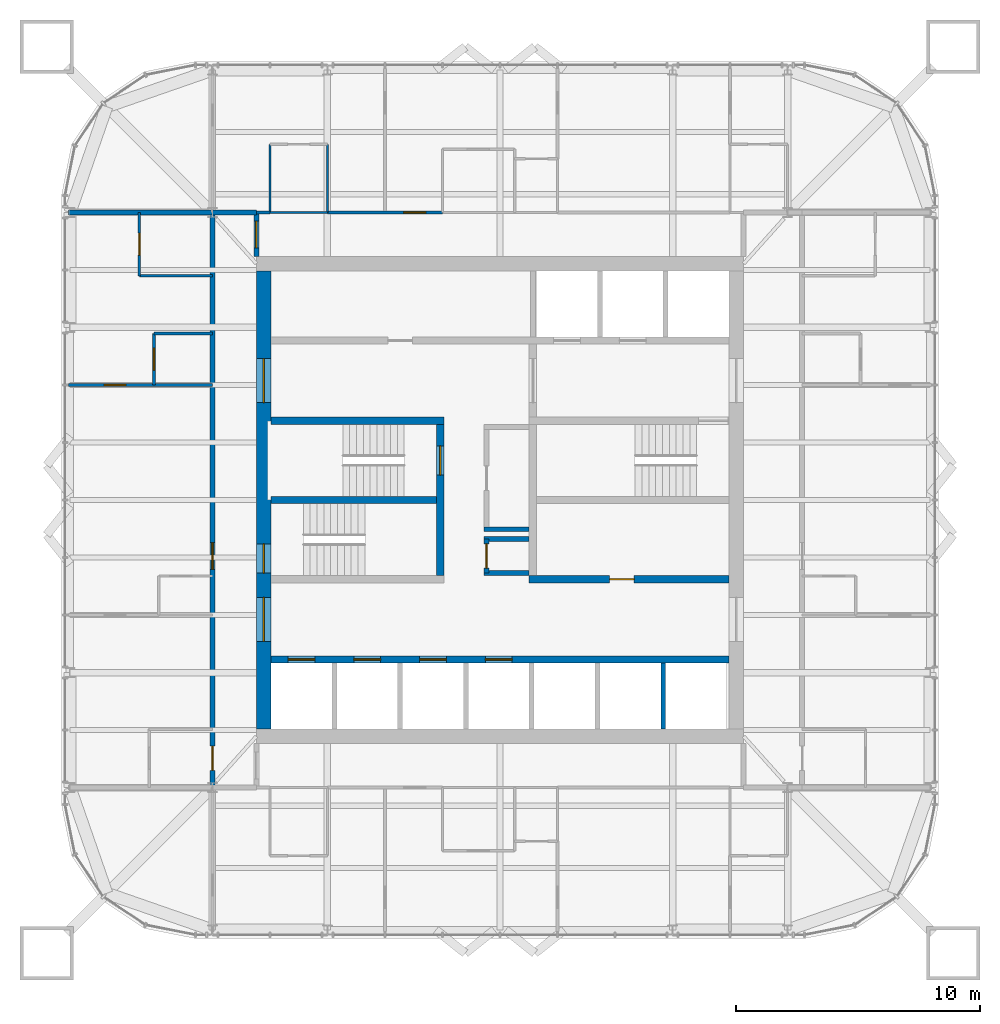
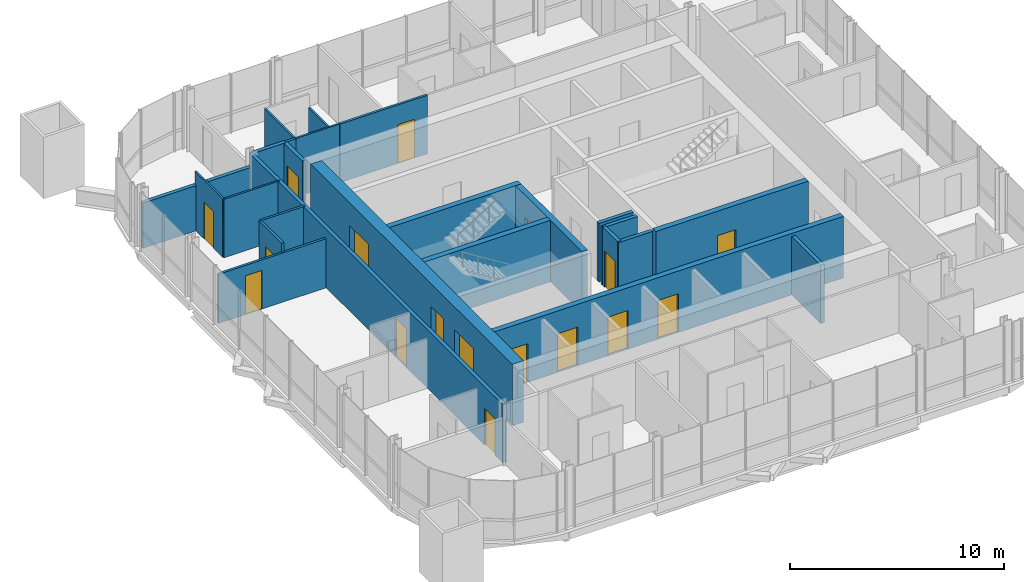
# One storey, part 14 of 17: 25 walls, 17 doors, 17 openings.
"""IFC4 building model written with IfcOpenShell, lengths in metres."""

from ifc_helpers import new_model, si_unit, direction, frame, frame_2d, origin, place, context, subcontext, project, spatial, rectangle, extrude, material, layer, layer_set, type_object, element, fill, save


model = new_model("IFC4")

# Units and contexts
model_context = context("Model", 3, precision=1e-05, world=origin(), true_north=direction((0.0, 1.0)))
body_context = subcontext(model_context, "Body", "Model", "MODEL_VIEW")
ifc_project = project(units=[si_unit("LENGTHUNIT", "METRE"), si_unit("AREAUNIT", "SQUARE_METRE"), si_unit("VOLUMEUNIT", "CUBIC_METRE"), si_unit("PLANEANGLEUNIT", "RADIAN"), si_unit("MASSUNIT", "GRAM", prefix="KILO")], contexts=[model_context])

# Site, building, storey
site_placement = place(None, origin())
site = spatial("IfcSite", under=ifc_project, at=site_placement, CompositionType="ELEMENT")
building_placement = place(site_placement, origin())
building = spatial("IfcBuilding", under=site, at=building_placement, Name="Turquesa Mirador Hotel Tower", CompositionType="ELEMENT")
storey_placement = place(building_placement, frame((0.0, 0.0, 251.199951171875)))
storey = spatial("IfcBuildingStorey", under=building, at=storey_placement, Name="L68", CompositionType="ELEMENT", Elevation=251.199951171875)

# Walls
ifc_material_1 = material(Name="Gypsum board on steel studs", Category="steel")
ifc_layer_1 = layer(ifc_material_1, 0.10009765625)
ifc_layer_set_1 = layer_set([ifc_layer_1], Name="BATHROOM WALL 100")
wall_type_1 = type_object("IfcWallType", Name="BATHROOM WALL 100", PredefinedType="PARTITIONING", material=ifc_layer_set_1)
wall_1_placement = place(storey_placement, frame((45.56005859375, 56.800048828125, 0.0), z_axis=(0.0, 0.0, 1.0), x_axis=(1.0, 0.0, 0.0)))
element("IfcWall", 1, at=wall_1_placement, inside=storey, type_object=wall_type_1, Name="Partition L68 023", PredefinedType="PARTITIONING", context=body_context, shape_type="SweptSolid", body=[
    extrude(rectangle(XDim=2.35986328125, YDim=0.10009765625, at=frame_2d((1.179931640625, 0.0))), origin(), (0.0, 0.0, 1.0), 3.330078125),
])
wall_2_placement = place(storey_placement, frame((40.199951171875, 54.199951171875, 0.0), z_axis=(0.0, 0.0, 1.0), x_axis=(1.0, 0.0, 0.0)))
element("IfcWall", 2, at=wall_2_placement, inside=storey, type_object=wall_type_1, Name="Partition L68 041", PredefinedType="PARTITIONING", context=body_context, shape_type="SweptSolid", body=[
    extrude(rectangle(XDim=3.0, YDim=0.10009765625, at=frame_2d((1.5, 0.0))), origin(), (0.0, 0.0, 1.0), 3.330078125),
])

# Wall, opening, door
wall_3_placement = place(storey_placement, frame((40.199951171875, 54.199951171875, 0.0), z_axis=(0.0, 0.0, 1.0), x_axis=(0.0, 1.0, 0.0)))
wall_3 = element("IfcWall", 3, at=wall_3_placement, inside=storey, type_object=wall_type_1, Name="Partition L68 051", PredefinedType="PARTITIONING", context=body_context, shape_type="SweptSolid", body=[
    extrude(rectangle(XDim=2.60009765625, YDim=0.10009765625, at=frame_2d((1.300048828125, 0.0))), origin(), (0.0, 0.0, 1.0), 3.330078125),
])
opening_1_placement = place(wall_3_placement, frame((0.85009765625, 0.0, 0.0)))
opening_1 = element("IfcOpeningElement", 4, at=opening_1_placement, cuts=wall_3, Name="Opening D02", PredefinedType="OPENING", context=body_context, shape_type="SweptSolid", body=[
    extrude(rectangle(XDim=0.89990234375, YDim=2.10009765625, at=frame_2d((0.449951171875, 1.050048828125))), frame((0.0, 0.06005859375, 0.0), z_axis=(0.0, -1.0, 0.0), x_axis=(1.0, 0.0, 0.0)), (0.0, 0.0, 1.0), 0.1201171875),
])
ifc_material_2 = material(Name="Timber veneered door", Category="wood")
door_type_1 = type_object("IfcDoorType", Name="DOOR 900X2100 EN-SUITE", OperationType="SINGLE_SWING_RIGHT", PredefinedType="DOOR", material=ifc_material_2)
door_1_placement = place(opening_1_placement, origin())
door_1 = element("IfcDoor", 5, at=door_1_placement, inside=storey, type_object=door_type_1, Name="Door 6804B", OperationType="SINGLE_SWING_RIGHT", OverallHeight=2.10009765625, OverallWidth=0.89990234375, PredefinedType="DOOR", context=body_context, shape_type="SweptSolid", body=[
    extrude(rectangle(XDim=0.89990234375, YDim=2.10009765625, at=frame_2d((0.449951171875, 1.050048828125))), frame((0.0, 0.02490234375, 0.0), z_axis=(0.0, -1.0, 0.0), x_axis=(1.0, 0.0, 0.0)), (0.0, 0.0, 1.0), 0.050048828125),
])
fill(opening_1, door_1)

# Walls
wall_4_placement = place(storey_placement, frame((47.919921875, 56.800048828125, 0.0), z_axis=(0.0, 0.0, 1.0), x_axis=(0.0, 1.0, 0.0)))
element("IfcWall", 6, at=wall_4_placement, inside=storey, type_object=wall_type_1, Name="Partition L68 057", PredefinedType="PARTITIONING", context=body_context, shape_type="SweptSolid", body=[
    extrude(rectangle(XDim=2.800048828125, YDim=0.10009765625, at=frame_2d((1.39990234375, 0.0))), origin(), (0.0, 0.0, 1.0), 2.5732421875),
])
wall_5_placement = place(storey_placement, frame((45.56005859375, 56.800048828125, 0.0), z_axis=(0.0, 0.0, 1.0), x_axis=(0.0, 1.0, 0.0)))
element("IfcWall", 7, at=wall_5_placement, inside=storey, type_object=wall_type_1, Name="Partition L68 059", PredefinedType="PARTITIONING", context=body_context, shape_type="SweptSolid", body=[
    extrude(rectangle(XDim=2.800048828125, YDim=0.10009765625, at=frame_2d((1.39990234375, 0.0))), origin(), (0.0, 0.0, 1.0), 3.330078125),
])

# Wall, openings, doors
ifc_material_3 = material(Name="Concrete C50/60", Category="concrete")
ifc_layer_2 = layer(ifc_material_3, 0.300048828125)
ifc_layer_set_2 = layer_set([ifc_layer_2], Name="CORE INNER WALL 300")
wall_type_2 = type_object("IfcWallType", Name="CORE INNER WALL 300", PredefinedType="SHEAR", material=ifc_layer_set_2)
wall_6_placement = place(storey_placement, frame((45.60009765625, 38.449951171875, 0.0), z_axis=(0.0, 0.0, 1.0), x_axis=(1.0, 0.0, 0.0)))
wall_6 = element("IfcWall", 8, at=wall_6_placement, inside=storey, type_object=wall_type_2, Name="Core wall SL", PredefinedType="SHEAR", context=body_context, shape_type="SweptSolid", body=[
    extrude(rectangle(XDim=18.7998046875, YDim=0.300048828125, at=frame_2d((9.39990234375, 0.0))), origin(), (0.0, 0.0, 1.0), 3.5),
])
opening_2_placement = place(wall_6_placement, frame((0.699951171875, 0.0, 0.0)))
opening_2 = element("IfcOpeningElement", 9, at=opening_2_placement, cuts=wall_6, Name="Opening LD", PredefinedType="OPENING", context=body_context, shape_type="SweptSolid", body=[
    extrude(rectangle(XDim=1.10009765625, YDim=2.199951171875, at=frame_2d((0.550048828125, 1.10009765625))), frame((0.0, 0.159912109375, 0.0), z_axis=(0.0, -1.0, 0.0), x_axis=(1.0, 0.0, 0.0)), (0.0, 0.0, 1.0), 0.320068359375),
])
opening_3_placement = place(wall_6_placement, frame((3.39990234375, 0.0, 0.0)))
opening_3 = element("IfcOpeningElement", 10, at=opening_3_placement, cuts=wall_6, Name="Opening LD", PredefinedType="OPENING", context=body_context, shape_type="SweptSolid", body=[
    extrude(rectangle(XDim=1.10009765625, YDim=2.199951171875, at=frame_2d((0.550048828125, 1.10009765625))), frame((0.0, 0.159912109375, 0.0), z_axis=(0.0, -1.0, 0.0), x_axis=(1.0, 0.0, 0.0)), (0.0, 0.0, 1.0), 0.320068359375),
])
opening_4_placement = place(wall_6_placement, frame((6.10009765625, 0.0, 0.0)))
opening_4 = element("IfcOpeningElement", 11, at=opening_4_placement, cuts=wall_6, Name="Opening LD", PredefinedType="OPENING", context=body_context, shape_type="SweptSolid", body=[
    extrude(rectangle(XDim=1.10009765625, YDim=2.199951171875, at=frame_2d((0.550048828125, 1.10009765625))), frame((0.0, 0.159912109375, 0.0), z_axis=(0.0, -1.0, 0.0), x_axis=(1.0, 0.0, 0.0)), (0.0, 0.0, 1.0), 0.320068359375),
])
opening_5_placement = place(wall_6_placement, frame((8.800048828125, 0.0, 0.0)))
opening_5 = element("IfcOpeningElement", 12, at=opening_5_placement, cuts=wall_6, Name="Opening LD", PredefinedType="OPENING", context=body_context, shape_type="SweptSolid", body=[
    extrude(rectangle(XDim=1.10009765625, YDim=2.199951171875, at=frame_2d((0.550048828125, 1.10009765625))), frame((0.0, 0.159912109375, 0.0), z_axis=(0.0, -1.0, 0.0), x_axis=(1.0, 0.0, 0.0)), (0.0, 0.0, 1.0), 0.320068359375),
])
ifc_material_4 = material(Name="Stainless steel lift landing door", Category="steel")
door_type_2 = type_object("IfcDoorType", Name="LIFT LANDING DOOR 1100X2200", OperationType="SLIDING_TO_LEFT", PredefinedType="DOOR", material=ifc_material_4)
door_2_placement = place(opening_2_placement, origin())
door_2 = element("IfcDoor", 13, at=door_2_placement, inside=storey, type_object=door_type_2, Name="Lift B1 landing door", OperationType="SLIDING_TO_LEFT", OverallHeight=2.199951171875, OverallWidth=1.10009765625, PredefinedType="DOOR", context=body_context, shape_type="SweptSolid", body=[
    extrude(rectangle(XDim=1.10009765625, YDim=2.199951171875, at=frame_2d((0.550048828125, 1.10009765625))), frame((0.0, 0.02490234375, 0.0), z_axis=(0.0, -1.0, 0.0), x_axis=(1.0, 0.0, 0.0)), (0.0, 0.0, 1.0), 0.050048828125),
])
fill(opening_2, door_2)
door_3_placement = place(opening_3_placement, origin())
door_3 = element("IfcDoor", 14, at=door_3_placement, inside=storey, type_object=door_type_2, Name="Lift B2 landing door", OperationType="SLIDING_TO_LEFT", OverallHeight=2.199951171875, OverallWidth=1.10009765625, PredefinedType="DOOR", context=body_context, shape_type="SweptSolid", body=[
    extrude(rectangle(XDim=1.10009765625, YDim=2.199951171875, at=frame_2d((0.550048828125, 1.10009765625))), frame((0.0, 0.02490234375, 0.0), z_axis=(0.0, -1.0, 0.0), x_axis=(1.0, 0.0, 0.0)), (0.0, 0.0, 1.0), 0.050048828125),
])
fill(opening_3, door_3)
door_4_placement = place(opening_4_placement, origin())
door_4 = element("IfcDoor", 15, at=door_4_placement, inside=storey, type_object=door_type_2, Name="Lift B3 landing door", OperationType="SLIDING_TO_LEFT", OverallHeight=2.199951171875, OverallWidth=1.10009765625, PredefinedType="DOOR", context=body_context, shape_type="SweptSolid", body=[
    extrude(rectangle(XDim=1.10009765625, YDim=2.199951171875, at=frame_2d((0.550048828125, 1.10009765625))), frame((0.0, 0.02490234375, 0.0), z_axis=(0.0, -1.0, 0.0), x_axis=(1.0, 0.0, 0.0)), (0.0, 0.0, 1.0), 0.050048828125),
])
fill(opening_4, door_4)
door_5_placement = place(opening_5_placement, origin())
door_5 = element("IfcDoor", 16, at=door_5_placement, inside=storey, type_object=door_type_2, Name="Lift B4 landing door", OperationType="SLIDING_TO_LEFT", OverallHeight=2.199951171875, OverallWidth=1.10009765625, PredefinedType="DOOR", context=body_context, shape_type="SweptSolid", body=[
    extrude(rectangle(XDim=1.10009765625, YDim=2.199951171875, at=frame_2d((0.550048828125, 1.10009765625))), frame((0.0, 0.02490234375, 0.0), z_axis=(0.0, -1.0, 0.0), x_axis=(1.0, 0.0, 0.0)), (0.0, 0.0, 1.0), 0.050048828125),
])
fill(opening_5, door_5)

# Wall
wall_7_placement = place(storey_placement, frame((45.60009765625, 48.25, 0.0), z_axis=(0.0, 0.0, 1.0), x_axis=(1.0, 0.0, 0.0)))
element("IfcWall", 17, at=wall_7_placement, inside=storey, type_object=wall_type_2, Name="Core wall MN-W", PredefinedType="SHEAR", context=body_context, shape_type="SweptSolid", body=[
    extrude(rectangle(XDim=7.099853515625, YDim=0.300048828125, at=frame_2d((3.5498046875, 0.0))), origin(), (0.0, 0.0, 1.0), 3.5),
])

# Wall, opening, door
wall_8_placement = place(storey_placement, frame((56.199951171875, 41.75, 0.0), z_axis=(0.0, 0.0, 1.0), x_axis=(1.0, 0.0, 0.0)))
wall_8 = element("IfcWall", 18, at=wall_8_placement, inside=storey, type_object=wall_type_2, Name="Core wall MS-E", PredefinedType="SHEAR", context=body_context, shape_type="SweptSolid", body=[
    extrude(rectangle(XDim=8.199951171875, YDim=0.300048828125, at=frame_2d((4.10009765625, 0.0))), origin(), (0.0, 0.0, 1.0), 3.5),
])
opening_6_placement = place(wall_8_placement, frame((3.300048828125, 0.0, 0.0)))
opening_6 = element("IfcOpeningElement", 19, at=opening_6_placement, cuts=wall_8, Name="Opening D05", PredefinedType="OPENING", context=body_context, shape_type="SweptSolid", body=[
    extrude(rectangle(XDim=1.0, YDim=2.10009765625, at=frame_2d((0.5, 1.050048828125))), frame((0.0, 0.159912109375, 0.0), z_axis=(0.0, -1.0, 0.0), x_axis=(1.0, 0.0, 0.0)), (0.0, 0.0, 1.0), 0.320068359375),
])
ifc_material_5 = material(Name="Steel fire door", Category="steel")
door_type_3 = type_object("IfcDoorType", Name="DOOR 1000X2100 SERVICE", OperationType="SINGLE_SWING_LEFT", PredefinedType="DOOR", material=ifc_material_5)
door_6_placement = place(opening_6_placement, origin())
door_6 = element("IfcDoor", 20, at=door_6_placement, inside=storey, type_object=door_type_3, Name="Housekeeping room door", OperationType="SINGLE_SWING_LEFT", OverallHeight=2.10009765625, OverallWidth=1.0, PredefinedType="DOOR", context=body_context, shape_type="SweptSolid", body=[
    extrude(rectangle(XDim=1.0, YDim=2.10009765625, at=frame_2d((0.5, 1.050048828125))), frame((0.0, 0.02490234375, 0.0), z_axis=(0.0, -1.0, 0.0), x_axis=(1.0, 0.0, 0.0)), (0.0, 0.0, 1.0), 0.050048828125),
])
fill(opening_6, door_6)

wall_9_placement = place(storey_placement, frame((52.550048828125, 41.89990234375, 0.0), z_axis=(0.0, 0.0, 1.0), x_axis=(0.0, 1.0, 0.0)))
wall_9 = element("IfcWall", 21, at=wall_9_placement, inside=storey, type_object=wall_type_2, Name="Core wall PW", PredefinedType="SHEAR", context=body_context, shape_type="SweptSolid", body=[
    extrude(rectangle(XDim=6.2001953125, YDim=0.300048828125, at=frame_2d((3.10009765625, 0.0))), origin(), (0.0, 0.0, 1.0), 3.5),
])
opening_7_placement = place(wall_9_placement, frame((4.125, 0.0, 0.0)))
opening_7 = element("IfcOpeningElement", 22, at=opening_7_placement, cuts=wall_9, Name="Opening D03", PredefinedType="OPENING", context=body_context, shape_type="SweptSolid", body=[
    extrude(rectangle(XDim=1.199951171875, YDim=2.199951171875, at=frame_2d((0.60009765625, 1.10009765625))), frame((0.0, 0.159912109375, 0.0), z_axis=(0.0, -1.0, 0.0), x_axis=(1.0, 0.0, 0.0)), (0.0, 0.0, 1.0), 0.320068359375),
])
ifc_material_6 = material(Name="Steel fire door", Category="steel")
door_type_4 = type_object("IfcDoorType", Name="DOOR 1200X2200 STAIR", OperationType="SINGLE_SWING_LEFT", PredefinedType="DOOR", material=ifc_material_6)
door_7_placement = place(opening_7_placement, origin())
door_7 = element("IfcDoor", 23, at=door_7_placement, inside=storey, type_object=door_type_4, Name="Stair ST1 door", OperationType="SINGLE_SWING_LEFT", OverallHeight=2.199951171875, OverallWidth=1.199951171875, PredefinedType="DOOR", context=body_context, shape_type="SweptSolid", body=[
    extrude(rectangle(XDim=1.199951171875, YDim=2.199951171875, at=frame_2d((0.60009765625, 1.10009765625))), frame((0.0, 0.02490234375, 0.0), z_axis=(0.0, -1.0, 0.0), x_axis=(1.0, 0.0, 0.0)), (0.0, 0.0, 1.0), 0.050048828125),
])
fill(opening_7, door_7)

# Wall
wall_10_placement = place(storey_placement, frame((45.60009765625, 45.0, 0.0), z_axis=(0.0, 0.0, 1.0), x_axis=(1.0, 0.0, 0.0)))
element("IfcWall", 24, at=wall_10_placement, inside=storey, type_object=wall_type_2, Name="Core wall M0-W", PredefinedType="SHEAR", context=body_context, shape_type="SweptSolid", body=[
    extrude(rectangle(XDim=6.7998046875, YDim=0.300048828125, at=frame_2d((3.39990234375, 0.0))), origin(), (0.0, 0.0, 1.0), 3.5),
])

# Wall, openings, doors
ifc_material_7 = material(Name="Concrete C50/60", Category="concrete")
ifc_layer_3 = layer(ifc_material_7, 0.60009765625)
ifc_layer_set_3 = layer_set([ifc_layer_3], Name="CORE WALL 600")
wall_type_3 = type_object("IfcWallType", Name="CORE WALL 600", PredefinedType="SHEAR", material=ifc_layer_set_3)
wall_11_placement = place(storey_placement, frame((45.300048828125, 35.60009765625, 0.0), z_axis=(0.0, 0.0, 1.0), x_axis=(0.0, 1.0, 0.0)))
wall_11 = element("IfcWall", 25, at=wall_11_placement, inside=storey, type_object=wall_type_3, Name="Core wall W", PredefinedType="SHEAR", context=body_context, shape_type="SweptSolid", body=[
    extrude(rectangle(XDim=18.7998046875, YDim=0.60009765625, at=frame_2d((9.39990234375, 0.0))), origin(), (0.0, 0.0, 1.0), 3.5),
])
opening_8_placement = place(wall_11_placement, frame((13.39990234375, 0.0, 0.0)))
opening_8 = element("IfcOpeningElement", 26, at=opening_8_placement, cuts=wall_11, Name="Opening D04", PredefinedType="OPENING", context=body_context, shape_type="SweptSolid", body=[
    extrude(rectangle(XDim=1.800048828125, YDim=2.199951171875, at=frame_2d((0.89990234375, 1.10009765625))), frame((0.0, 0.31005859375, 0.0), z_axis=(0.0, -1.0, 0.0), x_axis=(1.0, 0.0, 0.0)), (0.0, 0.0, 1.0), 0.6201171875),
])
opening_9_placement = place(wall_11_placement, frame((3.60009765625, 0.0, 0.0)))
opening_9 = element("IfcOpeningElement", 27, at=opening_9_placement, cuts=wall_11, Name="Opening D04", PredefinedType="OPENING", context=body_context, shape_type="SweptSolid", body=[
    extrude(rectangle(XDim=1.800048828125, YDim=2.199951171875, at=frame_2d((0.89990234375, 1.10009765625))), frame((0.0, 0.31005859375, 0.0), z_axis=(0.0, -1.0, 0.0), x_axis=(1.0, 0.0, 0.0)), (0.0, 0.0, 1.0), 0.6201171875),
])
opening_10_placement = place(wall_11_placement, frame((6.39990234375, 0.0, 0.0)))
opening_10 = element("IfcOpeningElement", 28, at=opening_10_placement, cuts=wall_11, Name="Opening D03", PredefinedType="OPENING", context=body_context, shape_type="SweptSolid", body=[
    extrude(rectangle(XDim=1.199951171875, YDim=2.199951171875, at=frame_2d((0.60009765625, 1.10009765625))), frame((0.0, 0.31005859375, 0.0), z_axis=(0.0, -1.0, 0.0), x_axis=(1.0, 0.0, 0.0)), (0.0, 0.0, 1.0), 0.6201171875),
])
door_8_placement = place(opening_10_placement, origin())
door_8 = element("IfcDoor", 29, at=door_8_placement, inside=storey, type_object=door_type_4, Name="Stair ST2 door", OperationType="SINGLE_SWING_LEFT", OverallHeight=2.199951171875, OverallWidth=1.199951171875, PredefinedType="DOOR", context=body_context, shape_type="SweptSolid", body=[
    extrude(rectangle(XDim=1.199951171875, YDim=2.199951171875, at=frame_2d((0.60009765625, 1.10009765625))), frame((0.0, 0.02490234375, 0.0), z_axis=(0.0, -1.0, 0.0), x_axis=(1.0, 0.0, 0.0)), (0.0, 0.0, 1.0), 0.050048828125),
])
fill(opening_10, door_8)
ifc_material_8 = material(Name="Steel fire door pair", Category="steel")
door_type_5 = type_object("IfcDoorType", Name="DOOR 1800X2200 PAIR", OperationType="DOUBLE_DOOR_SINGLE_SWING", PredefinedType="DOOR", material=ifc_material_8)
door_9_placement = place(opening_8_placement, origin())
door_9 = element("IfcDoor", 30, at=door_9_placement, inside=storey, type_object=door_type_5, Name="North lift lobby door", OperationType="DOUBLE_DOOR_SINGLE_SWING", OverallHeight=2.199951171875, OverallWidth=1.800048828125, PredefinedType="DOOR", context=body_context, shape_type="SweptSolid", body=[
    extrude(rectangle(XDim=1.800048828125, YDim=2.199951171875, at=frame_2d((0.89990234375, 1.10009765625))), frame((0.0, 0.02490234375, 0.0), z_axis=(0.0, -1.0, 0.0), x_axis=(1.0, 0.0, 0.0)), (0.0, 0.0, 1.0), 0.050048828125),
])
fill(opening_8, door_9)
door_10_placement = place(opening_9_placement, origin())
door_10 = element("IfcDoor", 31, at=door_10_placement, inside=storey, type_object=door_type_5, Name="South lift lobby door", OperationType="DOUBLE_DOOR_SINGLE_SWING", OverallHeight=2.199951171875, OverallWidth=1.800048828125, PredefinedType="DOOR", context=body_context, shape_type="SweptSolid", body=[
    extrude(rectangle(XDim=1.800048828125, YDim=2.199951171875, at=frame_2d((0.89990234375, 1.10009765625))), frame((0.0, 0.02490234375, 0.0), z_axis=(0.0, -1.0, 0.0), x_axis=(1.0, 0.0, 0.0)), (0.0, 0.0, 1.0), 0.050048828125),
])
fill(opening_9, door_10)

# Wall
ifc_material_9 = material(Name="Fire-rated gypsum board on steel studs", Category="steel")
ifc_layer_4 = layer(ifc_material_9, 0.199951171875)
ifc_layer_set_4 = layer_set([ifc_layer_4], Name="CORRIDOR WALL 200")
wall_type_4 = type_object("IfcWallType", Name="CORRIDOR WALL 200", PredefinedType="PARTITIONING", material=ifc_layer_set_4)
wall_12_placement = place(storey_placement, frame((43.199951171875, 56.800048828125, 0.0), z_axis=(0.0, 0.0, 1.0), x_axis=(1.0, 0.0, 0.0)))
element("IfcWall", 32, at=wall_12_placement, inside=storey, type_object=wall_type_4, Name="Partition L68 026", PredefinedType="PARTITIONING", context=body_context, shape_type="SweptSolid", body=[
    extrude(rectangle(XDim=1.800048828125, YDim=0.199951171875, at=frame_2d((0.89990234375, 0.0))), origin(), (0.0, 0.0, 1.0), 3.330078125),
])

# Wall, opening, door
wall_13_placement = place(storey_placement, frame((45.0, 55.0, 0.0), z_axis=(0.0, 0.0, 1.0), x_axis=(0.0, 1.0, 0.0)))
wall_13 = element("IfcWall", 33, at=wall_13_placement, inside=storey, type_object=wall_type_4, Name="Partition L68 044", PredefinedType="PARTITIONING", context=body_context, shape_type="SweptSolid", body=[
    extrude(rectangle(XDim=1.800048828125, YDim=0.199951171875, at=frame_2d((0.89990234375, 0.0))), origin(), (0.0, 0.0, 1.0), 3.330078125),
])
opening_11_placement = place(wall_13_placement, frame((0.35009765625, 0.0, 0.0)))
opening_11 = element("IfcOpeningElement", 34, at=opening_11_placement, cuts=wall_13, Name="Opening D15", PredefinedType="OPENING", context=body_context, shape_type="SweptSolid", body=[
    extrude(rectangle(XDim=1.10009765625, YDim=2.199951171875, at=frame_2d((0.550048828125, 1.10009765625))), frame((0.0, 0.10986328125, 0.0), z_axis=(0.0, -1.0, 0.0), x_axis=(1.0, 0.0, 0.0)), (0.0, 0.0, 1.0), 0.219970703125),
])
ifc_material_10 = material(Name="Timber veneered fire door", Category="wood")
door_type_6 = type_object("IfcDoorType", Name="DOOR 1100X2200 SUITE ENTRY", OperationType="SINGLE_SWING_LEFT", PredefinedType="DOOR", material=ifc_material_10)
door_11_placement = place(opening_11_placement, origin())
door_11 = element("IfcDoor", 35, at=door_11_placement, inside=storey, type_object=door_type_6, Name="Door 6801G", OperationType="SINGLE_SWING_LEFT", OverallHeight=2.199951171875, OverallWidth=1.10009765625, PredefinedType="DOOR", context=body_context, shape_type="SweptSolid", body=[
    extrude(rectangle(XDim=1.10009765625, YDim=2.199951171875, at=frame_2d((0.550048828125, 1.10009765625))), frame((0.0, 0.02490234375, 0.0), z_axis=(0.0, -1.0, 0.0), x_axis=(1.0, 0.0, 0.0)), (0.0, 0.0, 1.0), 0.050048828125),
])
fill(opening_11, door_11)

# Wall, openings, doors
wall_14_placement = place(storey_placement, frame((43.199951171875, 33.199951171875, 0.0), z_axis=(0.0, 0.0, 1.0), x_axis=(0.0, 1.0, 0.0)))
wall_14 = element("IfcWall", 36, at=wall_14_placement, inside=storey, type_object=wall_type_4, Name="Partition L68 045", PredefinedType="PARTITIONING", context=body_context, shape_type="SweptSolid", body=[
    extrude(rectangle(XDim=23.60009765625, YDim=0.199951171875, at=frame_2d((11.800048828125, 0.0))), origin(), (0.0, 0.0, 1.0), 3.330078125),
])
opening_12_placement = place(wall_14_placement, frame((8.949951171875, 0.0, 0.0)))
opening_12 = element("IfcOpeningElement", 37, at=opening_12_placement, cuts=wall_14, Name="Opening D15", PredefinedType="OPENING", context=body_context, shape_type="SweptSolid", body=[
    extrude(rectangle(XDim=1.10009765625, YDim=2.199951171875, at=frame_2d((0.550048828125, 1.10009765625))), frame((0.0, 0.10986328125, 0.0), z_axis=(0.0, -1.0, 0.0), x_axis=(1.0, 0.0, 0.0)), (0.0, 0.0, 1.0), 0.219970703125),
])
opening_13_placement = place(wall_14_placement, frame((0.699951171875, 0.0, 0.0)))
opening_13 = element("IfcOpeningElement", 38, at=opening_13_placement, cuts=wall_14, Name="Opening D05", PredefinedType="OPENING", context=body_context, shape_type="SweptSolid", body=[
    extrude(rectangle(XDim=1.0, YDim=2.10009765625, at=frame_2d((0.5, 1.050048828125))), frame((0.0, 0.10986328125, 0.0), z_axis=(0.0, -1.0, 0.0), x_axis=(1.0, 0.0, 0.0)), (0.0, 0.0, 1.0), 0.219970703125),
])
door_12_placement = place(opening_13_placement, origin())
door_12 = element("IfcDoor", 39, at=door_12_placement, inside=storey, type_object=door_type_3, Name="Door 6804P-1", OperationType="SINGLE_SWING_LEFT", OverallHeight=2.10009765625, OverallWidth=1.0, PredefinedType="DOOR", context=body_context, shape_type="SweptSolid", body=[
    extrude(rectangle(XDim=1.0, YDim=2.10009765625, at=frame_2d((0.5, 1.050048828125))), frame((0.0, 0.02490234375, 0.0), z_axis=(0.0, -1.0, 0.0), x_axis=(1.0, 0.0, 0.0)), (0.0, 0.0, 1.0), 0.050048828125),
])
fill(opening_13, door_12)
door_13_placement = place(opening_12_placement, origin())
door_13 = element("IfcDoor", 40, at=door_13_placement, inside=storey, type_object=door_type_6, Name="Door 6804", OperationType="SINGLE_SWING_LEFT", OverallHeight=2.199951171875, OverallWidth=1.10009765625, PredefinedType="DOOR", context=body_context, shape_type="SweptSolid", body=[
    extrude(rectangle(XDim=1.10009765625, YDim=2.199951171875, at=frame_2d((0.550048828125, 1.10009765625))), frame((0.0, 0.02490234375, 0.0), z_axis=(0.0, -1.0, 0.0), x_axis=(1.0, 0.0, 0.0)), (0.0, 0.0, 1.0), 0.050048828125),
])
fill(opening_12, door_13)

# Wall, opening, door
ifc_material_11 = material(Name="Fire-rated gypsum board on steel studs", Category="steel")
ifc_layer_5 = layer(ifc_material_11, 0.199951171875)
ifc_layer_set_5 = layer_set([ifc_layer_5], Name="FIRE PARTITION 200")
wall_type_5 = type_object("IfcWallType", Name="FIRE PARTITION 200", PredefinedType="PARTITIONING", material=ifc_layer_set_5)
wall_15_placement = place(storey_placement, frame((54.449951171875, 42.0, 0.0), z_axis=(0.0, 0.0, 1.0), x_axis=(0.0, 1.0, 0.0)))
wall_15 = element("IfcWall", 41, at=wall_15_placement, inside=storey, type_object=wall_type_5, Name="Partition L68 IT W", PredefinedType="PARTITIONING", context=body_context, shape_type="SweptSolid", body=[
    extrude(rectangle(XDim=1.39990234375, YDim=0.199951171875, at=frame_2d((0.699951171875, 0.0))), origin(), (0.0, 0.0, 1.0), 3.330078125),
])
opening_14_placement = place(wall_15_placement, frame((0.199951171875, 0.0, 0.0)))
opening_14 = element("IfcOpeningElement", 42, at=opening_14_placement, cuts=wall_15, Name="Opening D05", PredefinedType="OPENING", context=body_context, shape_type="SweptSolid", body=[
    extrude(rectangle(XDim=1.0, YDim=2.10009765625, at=frame_2d((0.5, 1.050048828125))), frame((0.0, 0.10986328125, 0.0), z_axis=(0.0, -1.0, 0.0), x_axis=(1.0, 0.0, 0.0)), (0.0, 0.0, 1.0), 0.219970703125),
])
door_14_placement = place(opening_14_placement, origin())
door_14 = element("IfcDoor", 43, at=door_14_placement, inside=storey, type_object=door_type_3, Name="IT and comms room door", OperationType="SINGLE_SWING_LEFT", OverallHeight=2.10009765625, OverallWidth=1.0, PredefinedType="DOOR", context=body_context, shape_type="SweptSolid", body=[
    extrude(rectangle(XDim=1.0, YDim=2.10009765625, at=frame_2d((0.5, 1.050048828125))), frame((0.0, 0.02490234375, 0.0), z_axis=(0.0, -1.0, 0.0), x_axis=(1.0, 0.0, 0.0)), (0.0, 0.0, 1.0), 0.050048828125),
])
fill(opening_14, door_14)

# Walls
for number, where, z_axis, x_axis, name in (
    (44, (54.35009765625, 42.0, 0.0), (0.0, 0.0, 1.0), (1.0, 0.0, 0.0), "Partition L68 IT S"),
    (45, (54.35009765625, 43.39990234375, 0.0), (0.0, 0.0, 1.0), (1.0, 0.0, 0.0), "Partition L68 IT N"),
    (46, (54.35009765625, 43.800048828125, 0.0), (0.0, 0.0, 1.0), (1.0, 0.0, 0.0), "Partition L68 BO S"),
):
    element("IfcWall", number, at=place(storey_placement, frame(where, z_axis=z_axis, x_axis=x_axis)), inside=storey, type_object=wall_type_5, Name=name, PredefinedType="PARTITIONING", context=body_context, shape_type="SweptSolid", body=[
        extrude(rectangle(XDim=1.849853515625, YDim=0.199951171875, at=frame_2d((0.9248046875, 0.0))), origin(), (0.0, 0.0, 1.0), 3.330078125),
    ])
ifc_material_12 = material(Name="Fire-rated gypsum shaft wall on steel studs", Category="steel")
ifc_layer_6 = layer(ifc_material_12, 0.199951171875)
ifc_layer_set_6 = layer_set([ifc_layer_6], Name="LIFT SHAFT DIVIDER 200")
wall_type_6 = type_object("IfcWallType", Name="LIFT SHAFT DIVIDER 200", PredefinedType="PARTITIONING", material=ifc_layer_set_6)
wall_16_placement = place(storey_placement, frame((61.699951171875, 35.60009765625, 0.0), z_axis=(0.0, 0.0, 1.0), x_axis=(0.0, 1.0, 0.0)))
element("IfcWall", 47, at=wall_16_placement, inside=storey, type_object=wall_type_6, Name="Lift shaft divider", PredefinedType="PARTITIONING", context=body_context, shape_type="SweptSolid", body=[
    extrude(rectangle(XDim=2.699951171875, YDim=0.199951171875, at=frame_2d((1.35009765625, 0.0))), origin(), (0.0, 0.0, 1.0), 3.330078125),
])
ifc_material_13 = material(Name="Fire-rated gypsum board on steel studs", Category="steel")
ifc_layer_7 = layer(ifc_material_13, 0.199951171875)
ifc_layer_set_7 = layer_set([ifc_layer_7], Name="PARTY WALL 200")
wall_type_7 = type_object("IfcWallType", Name="PARTY WALL 200", PredefinedType="PARTITIONING", material=ifc_layer_set_7)
wall_17_placement = place(storey_placement, frame((37.300048828125, 56.800048828125, 0.0), z_axis=(0.0, 0.0, 1.0), x_axis=(1.0, 0.0, 0.0)))
element("IfcWall", 48, at=wall_17_placement, inside=storey, type_object=wall_type_7, Name="Partition L68 028", PredefinedType="PARTITIONING", context=body_context, shape_type="SweptSolid", body=[
    extrude(rectangle(XDim=5.89990234375, YDim=0.199951171875, at=frame_2d((2.949951171875, 0.0))), origin(), (0.0, 0.0, 1.0), 2.5732421875),
])
ifc_material_14 = material(Name="Acoustic gypsum board on steel studs", Category="steel")
ifc_layer_8 = layer(ifc_material_14, 0.125)
ifc_layer_set_8 = layer_set([ifc_layer_8], Name="SUITE PARTITION 125")
wall_type_8 = type_object("IfcWallType", Name="SUITE PARTITION 125", PredefinedType="PARTITIONING", material=ifc_layer_set_8)
wall_18_placement = place(storey_placement, frame((45.0, 56.800048828125, 0.0), z_axis=(0.0, 0.0, 1.0), x_axis=(1.0, 0.0, 0.0)))
element("IfcWall", 49, at=wall_18_placement, inside=storey, type_object=wall_type_8, Name="Partition L68 030", PredefinedType="PARTITIONING", context=body_context, shape_type="SweptSolid", body=[
    extrude(rectangle(XDim=0.56005859375, YDim=0.125, at=frame_2d((0.280029296875, 0.0))), origin(), (0.0, 0.0, 1.0), 3.330078125),
])

# Wall, opening, door
wall_19_placement = place(storey_placement, frame((47.919921875, 56.800048828125, 0.0), z_axis=(0.0, 0.0, 1.0), x_axis=(1.0, 0.0, 0.0)))
wall_19 = element("IfcWall", 50, at=wall_19_placement, inside=storey, type_object=wall_type_8, Name="Partition L68 031", PredefinedType="PARTITIONING", context=body_context, shape_type="SweptSolid", body=[
    extrude(rectangle(XDim=4.719970703125, YDim=0.125, at=frame_2d((2.35986328125, 0.0))), origin(), (0.0, 0.0, 1.0), 3.330078125),
])
opening_15_placement = place(wall_19_placement, frame((3.1298828125, 0.0, 0.0)))
opening_15 = element("IfcOpeningElement", 51, at=opening_15_placement, cuts=wall_19, Name="Opening D17", PredefinedType="OPENING", context=body_context, shape_type="SweptSolid", body=[
    extrude(rectangle(XDim=0.89990234375, YDim=2.199951171875, at=frame_2d((0.449951171875, 1.10009765625))), frame((0.0, 0.072509765625, 0.0), z_axis=(0.0, -1.0, 0.0), x_axis=(1.0, 0.0, 0.0)), (0.0, 0.0, 1.0), 0.14501953125),
])
ifc_material_15 = material(Name="Timber veneered door", Category="wood")
door_type_7 = type_object("IfcDoorType", Name="DOOR 900X2200 SUITE INTERNAL", OperationType="SINGLE_SWING_LEFT", PredefinedType="DOOR", material=ifc_material_15)
door_15_placement = place(opening_15_placement, origin())
door_15 = element("IfcDoor", 52, at=door_15_placement, inside=storey, type_object=door_type_7, Name="Door 6801", OperationType="SINGLE_SWING_LEFT", OverallHeight=2.199951171875, OverallWidth=0.89990234375, PredefinedType="DOOR", context=body_context, shape_type="SweptSolid", body=[
    extrude(rectangle(XDim=0.89990234375, YDim=2.199951171875, at=frame_2d((0.449951171875, 1.10009765625))), frame((0.0, 0.02490234375, 0.0), z_axis=(0.0, -1.0, 0.0), x_axis=(1.0, 0.0, 0.0)), (0.0, 0.0, 1.0), 0.050048828125),
])
fill(opening_15, door_15)

wall_20_placement = place(storey_placement, frame((37.300048828125, 49.719970703125, 0.0), z_axis=(0.0, 0.0, 1.0), x_axis=(1.0, 0.0, 0.0)))
wall_20 = element("IfcWall", 53, at=wall_20_placement, inside=storey, type_object=wall_type_8, Name="Partition L68 037", PredefinedType="PARTITIONING", context=body_context, shape_type="SweptSolid", body=[
    extrude(rectangle(XDim=5.89990234375, YDim=0.125, at=frame_2d((2.949951171875, 0.0))), origin(), (0.0, 0.0, 1.0), 2.796630859375),
])
opening_16_placement = place(wall_20_placement, frame((1.449951171875, 0.0, 0.0)))
opening_16 = element("IfcOpeningElement", 54, at=opening_16_placement, cuts=wall_20, Name="Opening D17", PredefinedType="OPENING", context=body_context, shape_type="SweptSolid", body=[
    extrude(rectangle(XDim=0.89990234375, YDim=2.199951171875, at=frame_2d((0.449951171875, 1.10009765625))), frame((0.0, 0.072509765625, 0.0), z_axis=(0.0, -1.0, 0.0), x_axis=(1.0, 0.0, 0.0)), (0.0, 0.0, 1.0), 0.14501953125),
])
door_16_placement = place(opening_16_placement, origin())
door_16 = element("IfcDoor", 55, at=door_16_placement, inside=storey, type_object=door_type_7, Name="Door 6804R", OperationType="SINGLE_SWING_LEFT", OverallHeight=2.199951171875, OverallWidth=0.89990234375, PredefinedType="DOOR", context=body_context, shape_type="SweptSolid", body=[
    extrude(rectangle(XDim=0.89990234375, YDim=2.199951171875, at=frame_2d((0.449951171875, 1.10009765625))), frame((0.0, 0.02490234375, 0.0), z_axis=(0.0, -1.0, 0.0), x_axis=(1.0, 0.0, 0.0)), (0.0, 0.0, 1.0), 0.050048828125),
])
fill(opening_16, door_16)

# Wall
wall_21_placement = place(storey_placement, frame((40.800048828125, 51.840087890625, 0.0), z_axis=(0.0, 0.0, 1.0), x_axis=(1.0, 0.0, 0.0)))
element("IfcWall", 56, at=wall_21_placement, inside=storey, type_object=wall_type_8, Name="Partition L68 039", PredefinedType="PARTITIONING", context=body_context, shape_type="SweptSolid", body=[
    extrude(rectangle(XDim=2.39990234375, YDim=0.125, at=frame_2d((1.199951171875, 0.0))), origin(), (0.0, 0.0, 1.0), 3.330078125),
])

# Wall, opening, door
wall_22_placement = place(storey_placement, frame((40.800048828125, 49.719970703125, 0.0), z_axis=(0.0, 0.0, 1.0), x_axis=(0.0, 1.0, 0.0)))
wall_22 = element("IfcWall", 57, at=wall_22_placement, inside=storey, type_object=wall_type_8, Name="Partition L68 049", PredefinedType="PARTITIONING", context=body_context, shape_type="SweptSolid", body=[
    extrude(rectangle(XDim=2.1201171875, YDim=0.125, at=frame_2d((1.06005859375, 0.0))), origin(), (0.0, 0.0, 1.0), 3.330078125),
])
opening_17_placement = place(wall_22_placement, frame((0.610107421875, 0.0, 0.0)))
opening_17 = element("IfcOpeningElement", 58, at=opening_17_placement, cuts=wall_22, Name="Opening D17", PredefinedType="OPENING", context=body_context, shape_type="SweptSolid", body=[
    extrude(rectangle(XDim=0.89990234375, YDim=2.199951171875, at=frame_2d((0.449951171875, 1.10009765625))), frame((0.0, 0.072509765625, 0.0), z_axis=(0.0, -1.0, 0.0), x_axis=(1.0, 0.0, 0.0)), (0.0, 0.0, 1.0), 0.14501953125),
])
door_17_placement = place(opening_17_placement, origin())
door_17 = element("IfcDoor", 59, at=door_17_placement, inside=storey, type_object=door_type_7, Name="Door 6804D", OperationType="SINGLE_SWING_LEFT", OverallHeight=2.199951171875, OverallWidth=0.89990234375, PredefinedType="DOOR", context=body_context, shape_type="SweptSolid", body=[
    extrude(rectangle(XDim=0.89990234375, YDim=2.199951171875, at=frame_2d((0.449951171875, 1.10009765625))), frame((0.0, 0.02490234375, 0.0), z_axis=(0.0, -1.0, 0.0), x_axis=(1.0, 0.0, 0.0)), (0.0, 0.0, 1.0), 0.050048828125),
])
fill(opening_17, door_17)

save(model, "model.ifc")
